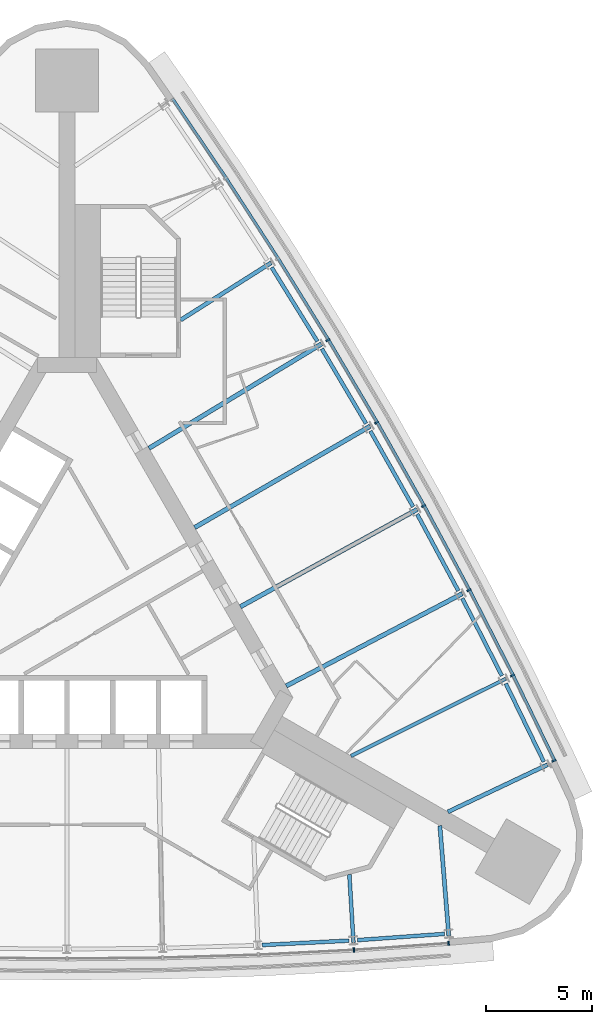
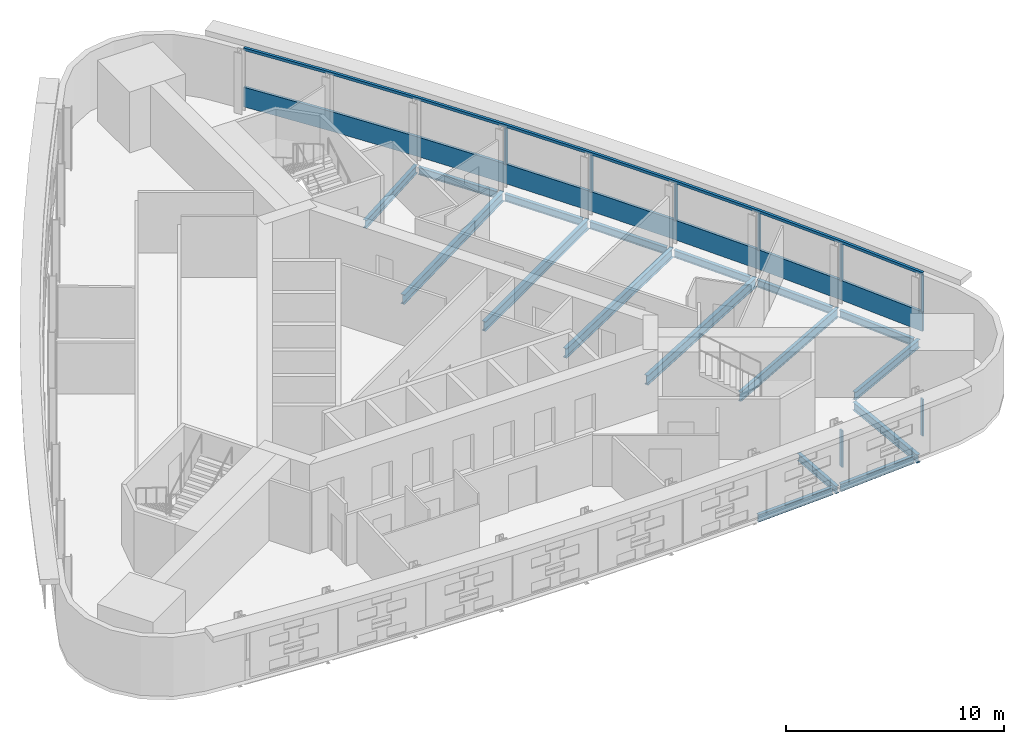
# One storey, part 4 of 11: 17 beams, 10 members, 2 elements without a shape of their own.
"""IFC4 building model written with IfcOpenShell, lengths in metres."""

from ifc_helpers import new_model, si_unit, direction, frame, origin, origin_2d, place, context, subcontext, project, spatial, polyline, rectangle, i_section, outline, extrude, material, material_profile, profile_set, type_object, element, aggregate, save


model = new_model("IFC4")

# Units and contexts
model_context = context("Model", 3, precision=1e-05, world=origin(), true_north=direction((0.0, 1.0)))
body_context = subcontext(model_context, "Body", "Model", "MODEL_VIEW")
ifc_project = project(units=[si_unit("LENGTHUNIT", "METRE"), si_unit("AREAUNIT", "SQUARE_METRE"), si_unit("VOLUMEUNIT", "CUBIC_METRE"), si_unit("PLANEANGLEUNIT", "RADIAN"), si_unit("MASSUNIT", "GRAM", prefix="KILO")], contexts=[model_context])

# Site, building, storey
site_placement = place(None, origin())
site = spatial("IfcSite", under=ifc_project, at=site_placement, CompositionType="ELEMENT")
building_placement = place(site_placement, origin())
building = spatial("IfcBuilding", under=site, at=building_placement, Name="Noor Cloister Tower", CompositionType="ELEMENT")
storey_placement = place(building_placement, frame((0.0, 0.0, 120.300048828125)))
storey = spatial("IfcBuildingStorey", under=building, at=storey_placement, Name="L31", CompositionType="ELEMENT", Elevation=120.300048828125)

# Curtain wall, member
ifc_material_1 = material(Name="Aluminium 6063-T6 anodised", Category="aluminium")
curtain_wall_type = type_object("IfcCurtainWallType", Name="Ribbon curtain wall, lower tower CW1", PredefinedType="NOTDEFINED", material=ifc_material_1)
curtain_wall_1_placement = place(storey_placement, origin())
curtain_wall_1 = element("IfcCurtainWall", 1, at=curtain_wall_1_placement, inside=storey, type_object=curtain_wall_type, Name="CW1 L31 NE run 3", PredefinedType="NOTDEFINED")
ifc_material_2 = material(Name="Aluminium 6063-T6 anodised", Category="aluminium")
member_type_1 = type_object("IfcMemberType", Name="Head transom CW1 150", PredefinedType="USERDEFINED", material=ifc_material_2)
member_1_placement = place(storey_placement, frame((0.0, 0.0, 3.14990234375)))
member_1 = element("IfcMember", 2, at=member_1_placement, type_object=member_type_1, Name="CW1 head transom", ObjectType="TRANSOM", PredefinedType="USERDEFINED", context=body_context, shape_type="SweptSolid", body=[
    extrude(outline(polyline([(22.992919921875, -7.48681640625), (21.025146484375, -3.43994140625), (18.9755859375, 0.566162109375), (16.845458984375, 4.52978515625), (14.635009765625, 8.449462890625), (12.345703125, 12.323486328125), (9.978271484375, 16.150390625), (7.533447265625, 19.92822265625), (5.0126953125, 23.65576171875), (4.896728515625, 23.577392578125), (7.416748046875, 19.85107421875), (9.85986328125, 16.075439453125), (12.225830078125, 12.251220703125), (14.513916015625, 8.379638671875), (16.72265625, 4.46240234375), (18.851806640625, 0.501220703125), (20.89990234375, -3.50244140625), (22.866943359375, -7.548095703125), (22.992919921875, -7.48681640625)])), origin(), (0.0, 0.0, 1.0), 0.150146484375),
])

# Curtain wall, members
curtain_wall_2_placement = place(storey_placement, origin())
curtain_wall_2 = element("IfcCurtainWall", 3, at=curtain_wall_2_placement, inside=storey, type_object=curtain_wall_type, Name="CW1 L31 S run 2", PredefinedType="NOTDEFINED")
ifc_material_3 = material(Name="Aluminium 6063-T6 anodised", Category="aluminium")
ifc_material_profile_1 = material_profile(ifc_material_3, rectangle(XDim=0.199951171875, YDim=0.080078125, at=origin_2d()), Name="200 x 80 mullion")
ifc_profile_set_1 = profile_set([ifc_material_profile_1], Name="Aluminium 6063-T6 anodised")
member_type_2 = type_object("IfcMemberType", Name="Mullion CW1 80 x 200", PredefinedType="MULLION", material=ifc_profile_set_1)
member_2_placement = place(storey_placement, frame((13.485595703125, -16.388427734375, 1.099853515625), z_axis=(0.0, 0.0, 1.0), x_axis=(-0.060846806136, 0.998147116503, 0.0)))
member_2 = element("IfcMember", 4, at=member_2_placement, type_object=member_type_2, Name="CW1 mullion 8", PredefinedType="MULLION", context=body_context, shape_type="SweptSolid", body=[
    extrude(rectangle(XDim=0.199951171875, YDim=0.080078125, at=origin_2d()), origin(), (0.0, 0.0, 1.0), 2.050048828125),
])
member_3_placement = place(storey_placement, frame((17.933349609375, -16.072021484375, 1.099853515625), z_axis=(0.0, 0.0, 1.0), x_axis=(-0.070972094341, 0.997478301431, 0.0)))
member_3 = element("IfcMember", 5, at=member_3_placement, type_object=member_type_2, Name="CW1 mullion 9", PredefinedType="MULLION", context=body_context, shape_type="SweptSolid", body=[
    extrude(rectangle(XDim=0.199951171875, YDim=0.080078125, at=origin_2d()), origin(), (0.0, 0.0, 1.0), 2.050048828125),
])
aggregate(curtain_wall_2, [member_2, member_3])

# Member
member_4_placement = place(storey_placement, frame((22.885498046875, -7.49462890625, 1.099853515625), z_axis=(0.0, 0.0, 1.0), x_axis=(-0.899327595933, -0.437275514056, 0.0)))
member_4 = element("IfcMember", 6, at=member_4_placement, type_object=member_type_2, Name="CW1 mullion 1", PredefinedType="MULLION", context=body_context, shape_type="SweptSolid", body=[
    extrude(rectangle(XDim=0.199951171875, YDim=0.080078125, at=origin_2d()), origin(), (0.0, 0.0, 1.0), 2.050048828125),
])

member_5_placement = place(storey_placement, frame((20.935546875, -3.484619140625, 1.099853515625), z_axis=(0.0, 0.0, 1.0), x_axis=(-0.894844162674, -0.446378678398, 0.0)))
member_5 = element("IfcMember", 7, at=member_5_placement, type_object=member_type_2, Name="CW1 mullion 2", PredefinedType="MULLION", context=body_context, shape_type="SweptSolid", body=[
    extrude(rectangle(XDim=0.199951171875, YDim=0.080078125, at=origin_2d()), origin(), (0.0, 0.0, 1.0), 2.050048828125),
])

member_6_placement = place(storey_placement, frame((18.88720703125, 0.519775390625, 1.099853515625), z_axis=(0.0, 0.0, 1.0), x_axis=(-0.885601336169, -0.464446200733, 0.0)))
member_6 = element("IfcMember", 8, at=member_6_placement, type_object=member_type_2, Name="CW1 mullion 3", PredefinedType="MULLION", context=body_context, shape_type="SweptSolid", body=[
    extrude(rectangle(XDim=0.199951171875, YDim=0.080078125, at=origin_2d()), origin(), (0.0, 0.0, 1.0), 2.050048828125),
])

member_7_placement = place(storey_placement, frame((16.7578125, 4.481689453125, 1.099853515625), z_axis=(0.0, 0.0, 1.0), x_axis=(-0.875993769707, -0.482322418549, 0.0)))
member_7 = element("IfcMember", 9, at=member_7_placement, type_object=member_type_2, Name="CW1 mullion 4", PredefinedType="MULLION", context=body_context, shape_type="SweptSolid", body=[
    extrude(rectangle(XDim=0.199951171875, YDim=0.080078125, at=origin_2d()), origin(), (0.0, 0.0, 1.0), 2.050048828125),
])

member_8_placement = place(storey_placement, frame((14.548583984375, 8.399658203125, 1.099853515625), z_axis=(0.0, 0.0, 1.0), x_axis=(-0.866025403784, -0.5, 0.0)))
member_8 = element("IfcMember", 10, at=member_8_placement, type_object=member_type_2, Name="CW1 mullion 5", PredefinedType="MULLION", context=body_context, shape_type="SweptSolid", body=[
    extrude(rectangle(XDim=0.199951171875, YDim=0.080078125, at=origin_2d()), origin(), (0.0, 0.0, 1.0), 2.050048828125),
])

member_9_placement = place(storey_placement, frame((12.26025390625, 12.271728515625, 1.099853515625), z_axis=(0.0, 0.0, 1.0), x_axis=(-0.855700352132, -0.517471648848, 0.0)))
member_9 = element("IfcMember", 11, at=member_9_placement, type_object=member_type_2, Name="CW1 mullion 6", PredefinedType="MULLION", context=body_context, shape_type="SweptSolid", body=[
    extrude(rectangle(XDim=0.199951171875, YDim=0.080078125, at=origin_2d()), origin(), (0.0, 0.0, 1.0), 2.050048828125),
])

# Beams
ifc_material_4 = material(Name="Steel ASTM A992 Gr 50", Category="steel")
ifc_material_profile_2 = material_profile(ifc_material_4, i_section(OverallWidth=0.177978515625, OverallDepth=0.406005859375, WebThickness=0.0078125, FlangeThickness=0.0126953125, FilletRadius=0.01025390625, at=origin_2d()), Name="W410x60")
ifc_profile_set_2 = profile_set([ifc_material_profile_2], Name="Steel ASTM A992 Gr 50")
beam_type_1 = type_object("IfcBeamType", Name="Radial beam W410x60", PredefinedType="BEAM", material=ifc_profile_set_2)
beam_1_placement = place(storey_placement, frame((13.46435546875, -16.03955078125, -0.403076171875), z_axis=(-0.060867192533, 0.998145873544, 0.0), x_axis=(-0.998145873544, -0.060867192533, 0.0)))
element("IfcBeam", 12, at=beam_1_placement, inside=storey, type_object=beam_type_1, Name="Radial beam S 08 L31", PredefinedType="BEAM", context=body_context, shape_type="SweptSolid", body=[
    extrude(i_section(OverallWidth=0.177978515625, OverallDepth=0.406005859375, WebThickness=0.0078125, FlangeThickness=0.0126953125, FilletRadius=0.01025390625, at=origin_2d()), origin(), (0.0, 0.0, 1.0), 3.208740234375),
])
ifc_material_5 = material(Name="Steel ASTM A992 Gr 50", Category="steel")
ifc_material_profile_3 = material_profile(ifc_material_5, i_section(OverallWidth=0.19091796875, OverallDepth=0.45703125, WebThickness=0.009033203125, FlangeThickness=0.014404296875, FilletRadius=0.01025390625, at=origin_2d()), Name="W460x74")
ifc_profile_set_3 = profile_set([ifc_material_profile_3], Name="Steel ASTM A992 Gr 50")
beam_type_2 = type_object("IfcBeamType", Name="Radial beam W460x74", PredefinedType="BEAM", material=ifc_profile_set_3)
for number, where, z_axis, x_axis, name in (
    (13, (17.94384765625, -15.720947265625, -0.428466796875), (-0.08108247603, 0.996707395418, 0.0), (-0.996707395418, -0.08108247603, 0.0), "Radial beam S 09 L31"),
    (14, (22.586669921875, -7.67919921875, -0.428466796875), (-0.903712923998, -0.428138938895, 0.0), (0.428138938895, -0.903712923998, 0.0), "Radial beam NE 01 L31"),
):
    element("IfcBeam", number, at=place(storey_placement, frame(where, z_axis=z_axis, x_axis=x_axis)), inside=storey, type_object=beam_type_2, Name=name, PredefinedType="BEAM", context=body_context, shape_type="SweptSolid", body=[
        extrude(i_section(OverallWidth=0.19091796875, OverallDepth=0.45703125, WebThickness=0.009033203125, FlangeThickness=0.014404296875, FilletRadius=0.01025390625, at=origin_2d()), origin(), (0.0, 0.0, 1.0), 5.18798828125),
    ])
beam_2_placement = place(storey_placement, frame((9.598388671875, 15.909912109375, -0.428466796875), z_axis=(-0.845037776893, -0.534706607051, 0.0), x_axis=(0.534706607051, -0.845037776893, 0.0)))
element("IfcBeam", 15, at=beam_2_placement, inside=storey, type_object=beam_type_2, Name="Radial beam NE 07 L31", PredefinedType="BEAM", context=body_context, shape_type="SweptSolid", body=[
    extrude(i_section(OverallWidth=0.19091796875, OverallDepth=0.45703125, WebThickness=0.009033203125, FlangeThickness=0.014404296875, FilletRadius=0.01025390625, at=origin_2d()), origin(), (0.0, 0.0, 1.0), 5.04443359375),
])
ifc_material_6 = material(Name="Steel ASTM A992 Gr 50", Category="steel")
ifc_material_profile_4 = material_profile(ifc_material_6, i_section(OverallWidth=0.166015625, OverallDepth=0.528076171875, WebThickness=0.009765625, FlangeThickness=0.013671875, FilletRadius=0.0126953125, at=origin_2d()), Name="W530x74")
ifc_profile_set_4 = profile_set([ifc_material_profile_4], Name="Steel ASTM A992 Gr 50")
beam_type_3 = type_object("IfcBeamType", Name="Radial beam W530x74", PredefinedType="BEAM", material=ifc_profile_set_4)
beam_3_placement = place(storey_placement, frame((20.622802734375, -3.640625, -0.464111328125), z_axis=(-0.894835035087, -0.446396975775, 0.0), x_axis=(0.446396975775, -0.894835035087, 0.0)))
element("IfcBeam", 16, at=beam_3_placement, inside=storey, type_object=beam_type_3, Name="Radial beam NE 02 L31", PredefinedType="BEAM", context=body_context, shape_type="SweptSolid", body=[
    extrude(i_section(OverallWidth=0.166015625, OverallDepth=0.528076171875, WebThickness=0.009765625, FlangeThickness=0.013671875, FilletRadius=0.0126953125, at=origin_2d()), origin(), (0.0, 0.0, 1.0), 8.1337890625),
])
ifc_material_7 = material(Name="Steel ASTM A992 Gr 50", Category="steel")
ifc_material_profile_5 = material_profile(ifc_material_7, i_section(OverallWidth=0.208984375, OverallDepth=0.532958984375, WebThickness=0.01025390625, FlangeThickness=0.015625, FilletRadius=0.0126953125, at=origin_2d()), Name="W530x92")
ifc_profile_set_5 = profile_set([ifc_material_profile_5], Name="Steel ASTM A992 Gr 50")
beam_type_4 = type_object("IfcBeamType", Name="Radial beam W530x92", PredefinedType="BEAM", material=ifc_profile_set_5)
beam_4_placement = place(storey_placement, frame((18.57763671875, 0.357421875, -0.466552734375), z_axis=(-0.885603411569, -0.46444224336, 0.0), x_axis=(0.46444224336, -0.885603411569, 0.0)))
element("IfcBeam", 17, at=beam_4_placement, inside=storey, type_object=beam_type_4, Name="Radial beam NE 03 L31", PredefinedType="BEAM", context=body_context, shape_type="SweptSolid", body=[
    extrude(i_section(OverallWidth=0.208984375, OverallDepth=0.532958984375, WebThickness=0.01025390625, FlangeThickness=0.015625, FilletRadius=0.0126953125, at=origin_2d()), origin(), (0.0, 0.0, 1.0), 9.346923828125),
])
beam_5_placement = place(storey_placement, frame((16.45166015625, 4.31298828125, -0.466552734375), z_axis=(-0.875996641486, -0.482317202787, 0.0), x_axis=(0.482317202787, -0.875996641486, 0.0)))
element("IfcBeam", 18, at=beam_5_placement, inside=storey, type_object=beam_type_4, Name="Radial beam NE 04 L31", PredefinedType="BEAM", context=body_context, shape_type="SweptSolid", body=[
    extrude(i_section(OverallWidth=0.208984375, OverallDepth=0.532958984375, WebThickness=0.01025390625, FlangeThickness=0.015625, FilletRadius=0.0126953125, at=origin_2d()), origin(), (0.0, 0.0, 1.0), 9.477783203125),
])
beam_6_placement = place(storey_placement, frame((14.245849609375, 8.224853515625, -0.466552734375), z_axis=(-0.866025463095, -0.499999897272, 0.0), x_axis=(0.499999897272, -0.866025463095, 0.0)))
element("IfcBeam", 19, at=beam_6_placement, inside=storey, type_object=beam_type_4, Name="Radial beam NE 05 L31", PredefinedType="BEAM", context=body_context, shape_type="SweptSolid", body=[
    extrude(i_section(OverallWidth=0.208984375, OverallDepth=0.532958984375, WebThickness=0.01025390625, FlangeThickness=0.015625, FilletRadius=0.0126953125, at=origin_2d()), origin(), (0.0, 0.0, 1.0), 9.521484375),
])
beam_7_placement = place(storey_placement, frame((11.961181640625, 12.091064453125, -0.466552734375), z_axis=(-0.85570360183, -0.51746627505, 0.0), x_axis=(0.51746627505, -0.85570360183, 0.0)))
element("IfcBeam", 20, at=beam_7_placement, inside=storey, type_object=beam_type_4, Name="Radial beam NE 06 L31", PredefinedType="BEAM", context=body_context, shape_type="SweptSolid", body=[
    extrude(i_section(OverallWidth=0.208984375, OverallDepth=0.532958984375, WebThickness=0.01025390625, FlangeThickness=0.015625, FilletRadius=0.0126953125, at=origin_2d()), origin(), (0.0, 0.0, 1.0), 9.47802734375),
])

# Member
ifc_material_8 = material(Name="Aluminium 6063-T6 anodised", Category="aluminium")
member_type_3 = type_object("IfcMemberType", Name="Sill transom CW1 1100", PredefinedType="USERDEFINED", material=ifc_material_8)
member_10_placement = place(storey_placement, origin())
member_10 = element("IfcMember", 21, at=member_10_placement, type_object=member_type_3, Name="CW1 sill transom", ObjectType="TRANSOM", PredefinedType="USERDEFINED", context=body_context, shape_type="SweptSolid", body=[
    extrude(outline(polyline([(22.992919921875, -7.48681640625), (21.025146484375, -3.43994140625), (18.9755859375, 0.566162109375), (16.845458984375, 4.52978515625), (14.635009765625, 8.449462890625), (12.345703125, 12.323486328125), (9.978271484375, 16.150390625), (7.533447265625, 19.92822265625), (5.0126953125, 23.65576171875), (4.896728515625, 23.577392578125), (7.416748046875, 19.85107421875), (9.85986328125, 16.075439453125), (12.225830078125, 12.251220703125), (14.513916015625, 8.379638671875), (16.72265625, 4.46240234375), (18.851806640625, 0.501220703125), (20.89990234375, -3.50244140625), (22.866943359375, -7.548095703125), (22.992919921875, -7.48681640625)])), origin(), (0.0, 0.0, 1.0), 1.099853515625),
])

aggregate(curtain_wall_1, [member_4, member_5, member_6, member_7, member_8, member_9, member_10, member_1])

# Beams
ifc_material_9 = material(Name="Steel ASTM A992 Gr 50", Category="steel")
ifc_material_profile_6 = material_profile(ifc_material_9, i_section(OverallWidth=0.177978515625, OverallDepth=0.406005859375, WebThickness=0.0078125, FlangeThickness=0.0126953125, FilletRadius=0.01025390625, at=origin_2d()), Name="W410x60")
ifc_profile_set_6 = profile_set([ifc_material_profile_6], Name="Steel ASTM A992 Gr 50")
beam_type_5 = type_object("IfcBeamType", Name="Spandrel beam W410x60", PredefinedType="SPANDREL", material=ifc_profile_set_6)
beam_8_placement = place(storey_placement, frame((9.175537109375, -16.15673828125, -0.403076171875), z_axis=(0.998713616936, 0.050706127304, 0.0), x_axis=(-0.050706127304, 0.998713616936, 0.0)))
element("IfcBeam", 22, at=beam_8_placement, inside=storey, type_object=beam_type_5, Name="Spandrel beam S 07 L31", PredefinedType="SPANDREL", context=body_context, shape_type="SweptSolid", body=[
    extrude(i_section(OverallWidth=0.177978515625, OverallDepth=0.406005859375, WebThickness=0.0078125, FlangeThickness=0.0126953125, FilletRadius=0.01025390625, at=origin_2d()), origin(), (0.0, 0.0, 1.0), 4.087890625),
])
beam_9_placement = place(storey_placement, frame((13.658203125, -15.925048828125, -0.403076171875), z_axis=(0.997479576003, 0.07095417857, 0.0), x_axis=(-0.07095417857, 0.997479576003, 0.0)))
element("IfcBeam", 23, at=beam_9_placement, inside=storey, type_object=beam_type_5, Name="Spandrel beam S 08 L31", PredefinedType="SPANDREL", context=body_context, shape_type="SweptSolid", body=[
    extrude(i_section(OverallWidth=0.177978515625, OverallDepth=0.406005859375, WebThickness=0.0078125, FlangeThickness=0.0126953125, FilletRadius=0.01025390625, at=origin_2d()), origin(), (0.0, 0.0, 1.0), 4.087646484375),
])
for number, where, z_axis, x_axis, name in (
    (24, (22.408203125, -7.5419921875, -0.403076171875), (-0.437296029783, 0.899317620386, 0.0), (-0.899317620386, -0.437296029783, 0.0), "Spandrel beam NE 01 L31"),
    (25, (20.441650390625, -3.507080078125, -0.403076171875), (-0.455436177251, 0.890268436176, 0.0), (-0.890268436176, -0.455436177251, 0.0), "Spandrel beam NE 02 L31"),
    (26, (18.393798828125, 0.4873046875, -0.403076171875), (-0.473415891139, 0.880839028436, 0.0), (-0.880839028436, -0.473415891139, 0.0), "Spandrel beam NE 03 L31"),
    (27, (16.26513671875, 4.439208984375, -0.403076171875), (-0.491165510925, 0.87106626664, 0.0), (-0.87106626664, -0.491165510925, 0.0), "Spandrel beam NE 04 L31"),
    (28, (14.056884765625, 8.34716796875, -0.403076171875), (-0.508775589434, 0.860899180854, 0.0), (-0.860899180854, -0.508775589434, 0.0), "Spandrel beam NE 05 L31"),
    (29, (11.76953125, 12.20947265625, -0.403076171875), (-0.526111975174, 0.850415304177, 0.0), (-0.850415304177, -0.526111975174, 0.0), "Spandrel beam NE 06 L31"),
):
    element("IfcBeam", number, at=place(storey_placement, frame(where, z_axis=z_axis, x_axis=x_axis)), inside=storey, type_object=beam_type_5, Name=name, PredefinedType="SPANDREL", context=body_context, shape_type="SweptSolid", body=[
        extrude(i_section(OverallWidth=0.177978515625, OverallDepth=0.406005859375, WebThickness=0.0078125, FlangeThickness=0.0126953125, FilletRadius=0.01025390625, at=origin_2d()), origin(), (0.0, 0.0, 1.0), 4.087890625),
    ])

save(model, "model.ifc")
